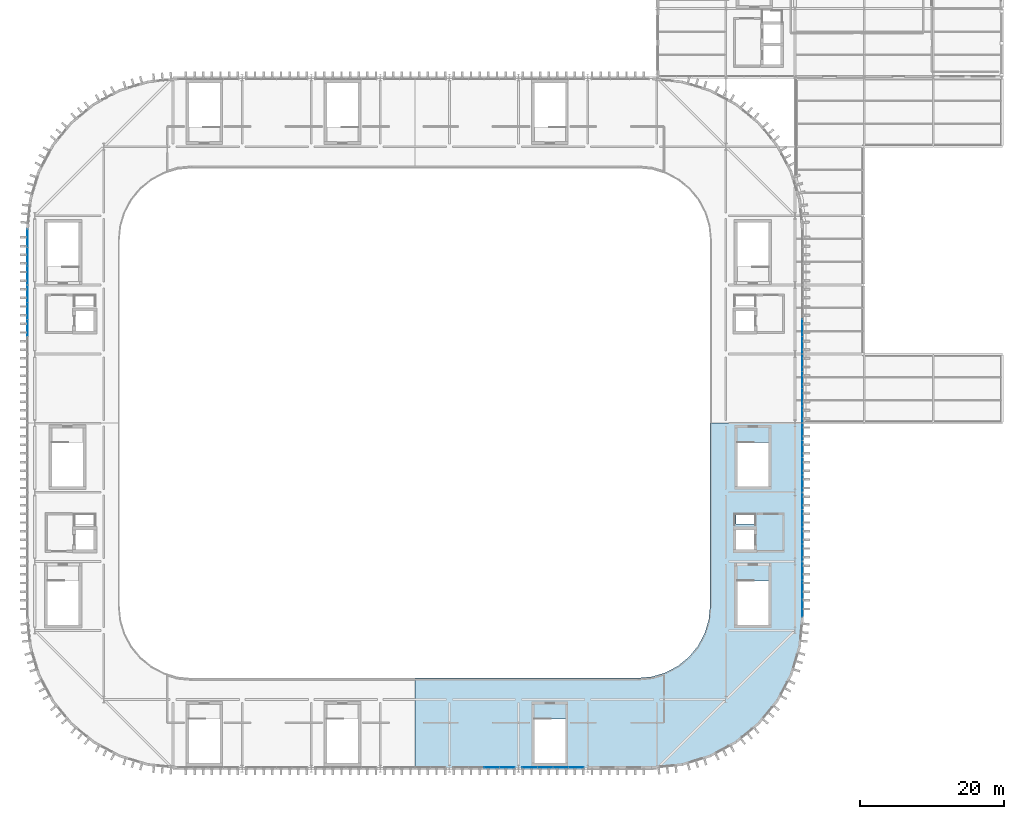
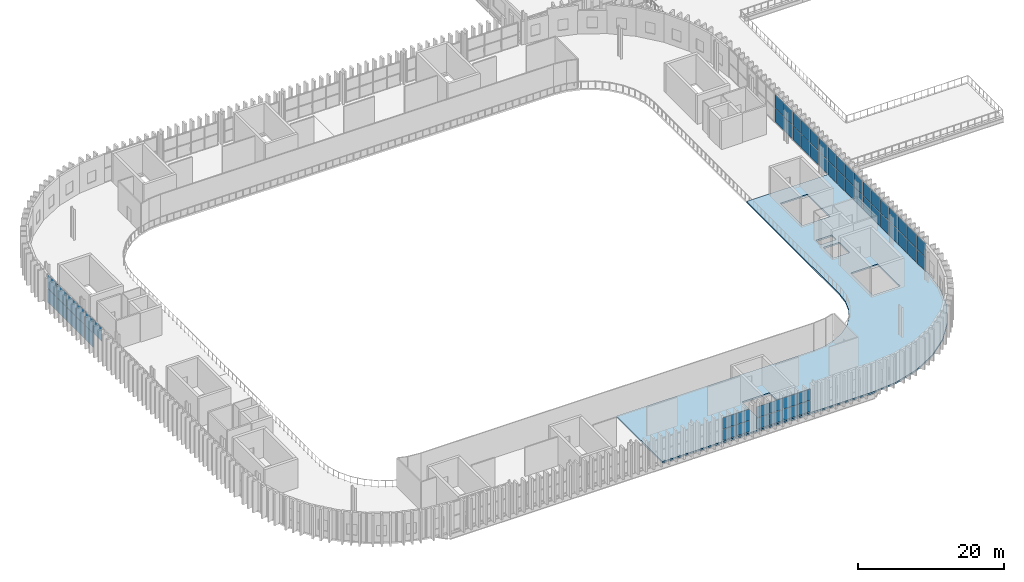
# One storey, part 27 of 45: 57 plates, 1 slab, 9 elements without a shape of their own.
"""IFC4 building model written with IfcOpenShell, lengths in metres."""

from ifc_helpers import new_model, si_unit, direction, frame, origin, origin_2d, place, context, subcontext, project, spatial, polyline, rectangle, outline, extrude, material, layer, layer_set, type_object, element, aggregate, save


model = new_model("IFC4")

# Units and contexts
model_context = context("Model", 3, precision=1e-05, world=origin(), true_north=direction((0.0, 1.0)))
body_context = subcontext(model_context, "Body", "Model", "MODEL_VIEW")
ifc_project = project(units=[si_unit("LENGTHUNIT", "METRE"), si_unit("AREAUNIT", "SQUARE_METRE"), si_unit("VOLUMEUNIT", "CUBIC_METRE"), si_unit("PLANEANGLEUNIT", "RADIAN"), si_unit("MASSUNIT", "GRAM", prefix="KILO")], contexts=[model_context])

# Site, building, storey
site_placement = place(None, origin())
site = spatial("IfcSite", under=ifc_project, at=site_placement, CompositionType="ELEMENT")
building_placement = place(site_placement, origin())
building = spatial("IfcBuilding", under=site, at=building_placement, Name="Caelomonte Colonnade Arena", CompositionType="ELEMENT")
storey_placement = place(building_placement, frame((0.0, 0.0, 23.10009765625)))
storey = spatial("IfcBuildingStorey", under=building, at=storey_placement, Name="L05", CompositionType="ELEMENT", Elevation=23.10009765625)

# Curtain wall, plates
ifc_material_1 = material(Name="Bronze anodised aluminium and low-E glazing", Category="aluminium")
ifc_layer_1 = layer(ifc_material_1, 0.179931640625)
ifc_layer_set_1 = layer_set([ifc_layer_1], Name="Bronze anodised aluminium and low-E glazing")
curtain_wall_type_1 = type_object("IfcCurtainWallType", Name="ENV-CW-CW-L05-96-39", PredefinedType="USERDEFINED", material=ifc_layer_set_1)
curtain_wall_1_placement = place(storey_placement, origin())
curtain_wall_1 = element("IfcCurtainWall", 1, at=curtain_wall_1_placement, inside=storey, type_object=curtain_wall_type_1, Name="L05 unitized curtain wall CW-L05-1200-0194", ObjectType="UNITIZED CURTAIN WALL", PredefinedType="USERDEFINED")
ifc_material_2 = material(Name="Solar-control bronze low-E double glazing", Category="glass")
ifc_layer_2 = layer(ifc_material_2, 0.035888671875)
ifc_layer_set_2 = layer_set([ifc_layer_2], Name="Solar-control bronze low-E double glazing")
plate_type = type_object("IfcPlateType", Name="ENV-CW-PAN36", PredefinedType="CURTAIN_PANEL", material=ifc_layer_set_2)
plate_1_placement = place(storey_placement, frame((121.080810546875, 19.3798828125, 0.06982421875), z_axis=(0.0, 0.0, 1.0), x_axis=(1.0, 0.0, 0.0)))
plate_1 = element("IfcPlate", 2, at=plate_1_placement, type_object=plate_type, Name="CW-L05-96-39 panel 3.1", PredefinedType="CURTAIN_PANEL", context=body_context, shape_type="SweptSolid", body=[
    extrude(rectangle(XDim=2.09130859375, YDim=0.035888671875, at=origin_2d()), origin(), (0.0, 0.0, 1.0), 1.841552734375),
])
plate_2_placement = place(storey_placement, frame((121.080810546875, 19.3798828125, 1.9814453125), z_axis=(0.0, 0.0, 1.0), x_axis=(1.0, 0.0, 0.0)))
plate_2 = element("IfcPlate", 3, at=plate_2_placement, type_object=plate_type, Name="CW-L05-96-39 panel 3.2", PredefinedType="CURTAIN_PANEL", context=body_context, shape_type="SweptSolid", body=[
    extrude(rectangle(XDim=2.09130859375, YDim=0.035888671875, at=origin_2d()), origin(), (0.0, 0.0, 1.0), 1.84130859375),
])
plate_3_placement = place(storey_placement, frame((123.224609375, 19.3798828125, 0.06982421875), z_axis=(0.0, 0.0, 1.0), x_axis=(1.0, 0.0, 0.0)))
plate_3 = element("IfcPlate", 4, at=plate_3_placement, type_object=plate_type, Name="CW-L05-96-39 panel 4.1", PredefinedType="CURTAIN_PANEL", context=body_context, shape_type="SweptSolid", body=[
    extrude(rectangle(XDim=2.056396484375, YDim=0.035888671875, at=origin_2d()), origin(), (0.0, 0.0, 1.0), 1.841552734375),
])
plate_4_placement = place(storey_placement, frame((123.224609375, 19.3798828125, 1.9814453125), z_axis=(0.0, 0.0, 1.0), x_axis=(1.0, 0.0, 0.0)))
plate_4 = element("IfcPlate", 5, at=plate_4_placement, type_object=plate_type, Name="CW-L05-96-39 panel 4.2", PredefinedType="CURTAIN_PANEL", context=body_context, shape_type="SweptSolid", body=[
    extrude(rectangle(XDim=2.056396484375, YDim=0.035888671875, at=origin_2d()), origin(), (0.0, 0.0, 1.0), 1.84130859375),
])
aggregate(curtain_wall_1, [plate_1, plate_2, plate_3, plate_4])

curtain_wall_2_placement = place(storey_placement, origin())
curtain_wall_2 = element("IfcCurtainWall", 6, at=curtain_wall_2_placement, inside=storey, type_object=curtain_wall_type_1, Name="L05 unitized curtain wall CW-L05-1296-0194", ObjectType="UNITIZED CURTAIN WALL", PredefinedType="USERDEFINED")
plate_5_placement = place(storey_placement, frame((126.37548828125, 19.3798828125, 0.06982421875), z_axis=(0.0, 0.0, 1.0), x_axis=(1.0, 0.0, 0.0)))
plate_5 = element("IfcPlate", 7, at=plate_5_placement, type_object=plate_type, Name="CW-L05-96-39 panel 1.1", PredefinedType="CURTAIN_PANEL", context=body_context, shape_type="SweptSolid", body=[
    extrude(rectangle(XDim=2.056396484375, YDim=0.035888671875, at=origin_2d()), origin(), (0.0, 0.0, 1.0), 1.841552734375),
])
plate_6_placement = place(storey_placement, frame((126.37548828125, 19.3798828125, 1.9814453125), z_axis=(0.0, 0.0, 1.0), x_axis=(1.0, 0.0, 0.0)))
plate_6 = element("IfcPlate", 8, at=plate_6_placement, type_object=plate_type, Name="CW-L05-96-39 panel 1.2", PredefinedType="CURTAIN_PANEL", context=body_context, shape_type="SweptSolid", body=[
    extrude(rectangle(XDim=2.056396484375, YDim=0.035888671875, at=origin_2d()), origin(), (0.0, 0.0, 1.0), 1.84130859375),
])
plate_7_placement = place(storey_placement, frame((128.519287109375, 19.3798828125, 0.06982421875), z_axis=(0.0, 0.0, 1.0), x_axis=(1.0, 0.0, 0.0)))
plate_7 = element("IfcPlate", 9, at=plate_7_placement, type_object=plate_type, Name="CW-L05-96-39 panel 2.1", PredefinedType="CURTAIN_PANEL", context=body_context, shape_type="SweptSolid", body=[
    extrude(rectangle(XDim=2.09130859375, YDim=0.035888671875, at=origin_2d()), origin(), (0.0, 0.0, 1.0), 1.841552734375),
])
plate_8_placement = place(storey_placement, frame((128.519287109375, 19.3798828125, 1.9814453125), z_axis=(0.0, 0.0, 1.0), x_axis=(1.0, 0.0, 0.0)))
plate_8 = element("IfcPlate", 10, at=plate_8_placement, type_object=plate_type, Name="CW-L05-96-39 panel 2.2", PredefinedType="CURTAIN_PANEL", context=body_context, shape_type="SweptSolid", body=[
    extrude(rectangle(XDim=2.09130859375, YDim=0.035888671875, at=origin_2d()), origin(), (0.0, 0.0, 1.0), 1.84130859375),
])
plate_9_placement = place(storey_placement, frame((130.6806640625, 19.3798828125, 0.06982421875), z_axis=(0.0, 0.0, 1.0), x_axis=(1.0, 0.0, 0.0)))
plate_9 = element("IfcPlate", 11, at=plate_9_placement, type_object=plate_type, Name="CW-L05-96-39 panel 3.1", PredefinedType="CURTAIN_PANEL", context=body_context, shape_type="SweptSolid", body=[
    extrude(rectangle(XDim=2.09130859375, YDim=0.035888671875, at=origin_2d()), origin(), (0.0, 0.0, 1.0), 1.841552734375),
])
plate_10_placement = place(storey_placement, frame((130.6806640625, 19.3798828125, 1.9814453125), z_axis=(0.0, 0.0, 1.0), x_axis=(1.0, 0.0, 0.0)))
plate_10 = element("IfcPlate", 12, at=plate_10_placement, type_object=plate_type, Name="CW-L05-96-39 panel 3.2", PredefinedType="CURTAIN_PANEL", context=body_context, shape_type="SweptSolid", body=[
    extrude(rectangle(XDim=2.09130859375, YDim=0.035888671875, at=origin_2d()), origin(), (0.0, 0.0, 1.0), 1.84130859375),
])
plate_11_placement = place(storey_placement, frame((132.82470703125, 19.3798828125, 0.06982421875), z_axis=(0.0, 0.0, 1.0), x_axis=(1.0, 0.0, 0.0)))
plate_11 = element("IfcPlate", 13, at=plate_11_placement, type_object=plate_type, Name="CW-L05-96-39 panel 4.1", PredefinedType="CURTAIN_PANEL", context=body_context, shape_type="SweptSolid", body=[
    extrude(rectangle(XDim=2.056396484375, YDim=0.035888671875, at=origin_2d()), origin(), (0.0, 0.0, 1.0), 1.841552734375),
])
plate_12_placement = place(storey_placement, frame((132.82470703125, 19.3798828125, 1.9814453125), z_axis=(0.0, 0.0, 1.0), x_axis=(1.0, 0.0, 0.0)))
plate_12 = element("IfcPlate", 14, at=plate_12_placement, type_object=plate_type, Name="CW-L05-96-39 panel 4.2", PredefinedType="CURTAIN_PANEL", context=body_context, shape_type="SweptSolid", body=[
    extrude(rectangle(XDim=2.056396484375, YDim=0.035888671875, at=origin_2d()), origin(), (0.0, 0.0, 1.0), 1.84130859375),
])
aggregate(curtain_wall_2, [plate_5, plate_6, plate_7, plate_8, plate_9, plate_10, plate_11, plate_12])

ifc_layer_3 = layer(ifc_material_1, 0.179931640625)
ifc_layer_set_3 = layer_set([ifc_layer_3], Name="Bronze anodised aluminium and low-E glazing")
curtain_wall_type_2 = type_object("IfcCurtainWallType", Name="ENV-CW-CW-L05-79-48", PredefinedType="USERDEFINED", material=ifc_layer_set_3)
curtain_wall_3_placement = place(storey_placement, origin())
curtain_wall_3 = element("IfcCurtainWall", 15, at=curtain_wall_3_placement, inside=storey, type_object=curtain_wall_type_2, Name="L05 unitized curtain wall CW-L05-1642-0440", ObjectType="UNITIZED CURTAIN WALL", PredefinedType="USERDEFINED")
plate_13_placement = place(storey_placement, frame((164.219970703125, 41.544189453125, 0.06982421875), z_axis=(0.0, 0.0, 1.0), x_axis=(0.0, 1.0, 0.0)))
plate_13 = element("IfcPlate", 16, at=plate_13_placement, type_object=plate_type, Name="CW-L05-79-48 panel 1.1", PredefinedType="CURTAIN_PANEL", context=body_context, shape_type="SweptSolid", body=[
    extrude(rectangle(XDim=2.46826171875, YDim=0.035888671875, at=origin_2d()), origin(), (0.0, 0.0, 1.0), 2.304931640625),
])
plate_14_placement = place(storey_placement, frame((164.219970703125, 41.544189453125, 2.44482421875), z_axis=(0.0, 0.0, 1.0), x_axis=(0.0, 1.0, 0.0)))
plate_14 = element("IfcPlate", 17, at=plate_14_placement, type_object=plate_type, Name="CW-L05-79-48 panel 1.2", PredefinedType="CURTAIN_PANEL", context=body_context, shape_type="SweptSolid", body=[
    extrude(rectangle(XDim=2.46826171875, YDim=0.035888671875, at=origin_2d()), origin(), (0.0, 0.0, 1.0), 2.304931640625),
])
plate_15_placement = place(storey_placement, frame((164.219970703125, 44.10009765625, 0.06982421875), z_axis=(0.0, 0.0, 1.0), x_axis=(0.0, 1.0, 0.0)))
plate_15 = element("IfcPlate", 18, at=plate_15_placement, type_object=plate_type, Name="CW-L05-79-48 panel 2.1", PredefinedType="CURTAIN_PANEL", context=body_context, shape_type="SweptSolid", body=[
    extrude(rectangle(XDim=2.50341796875, YDim=0.035888671875, at=origin_2d()), origin(), (0.0, 0.0, 1.0), 2.304931640625),
])
plate_16_placement = place(storey_placement, frame((164.219970703125, 44.10009765625, 2.44482421875), z_axis=(0.0, 0.0, 1.0), x_axis=(0.0, 1.0, 0.0)))
plate_16 = element("IfcPlate", 19, at=plate_16_placement, type_object=plate_type, Name="CW-L05-79-48 panel 2.2", PredefinedType="CURTAIN_PANEL", context=body_context, shape_type="SweptSolid", body=[
    extrude(rectangle(XDim=2.50341796875, YDim=0.035888671875, at=origin_2d()), origin(), (0.0, 0.0, 1.0), 2.304931640625),
])
plate_17_placement = place(storey_placement, frame((164.219970703125, 46.65576171875, 0.06982421875), z_axis=(0.0, 0.0, 1.0), x_axis=(0.0, 1.0, 0.0)))
plate_17 = element("IfcPlate", 20, at=plate_17_placement, type_object=plate_type, Name="CW-L05-79-48 panel 3.1", PredefinedType="CURTAIN_PANEL", context=body_context, shape_type="SweptSolid", body=[
    extrude(rectangle(XDim=2.46826171875, YDim=0.035888671875, at=origin_2d()), origin(), (0.0, 0.0, 1.0), 2.304931640625),
])
plate_18_placement = place(storey_placement, frame((164.219970703125, 46.65576171875, 2.44482421875), z_axis=(0.0, 0.0, 1.0), x_axis=(0.0, 1.0, 0.0)))
plate_18 = element("IfcPlate", 21, at=plate_18_placement, type_object=plate_type, Name="CW-L05-79-48 panel 3.2", PredefinedType="CURTAIN_PANEL", context=body_context, shape_type="SweptSolid", body=[
    extrude(rectangle(XDim=2.46826171875, YDim=0.035888671875, at=origin_2d()), origin(), (0.0, 0.0, 1.0), 2.304931640625),
])
aggregate(curtain_wall_3, [plate_13, plate_14, plate_15, plate_16, plate_17, plate_18])

ifc_layer_4 = layer(ifc_material_1, 0.179931640625)
ifc_layer_set_4 = layer_set([ifc_layer_4], Name="Bronze anodised aluminium and low-E glazing")
curtain_wall_type_3 = type_object("IfcCurtainWallType", Name="ENV-CW-CW-L05-96-48", PredefinedType="USERDEFINED", material=ifc_layer_set_4)
curtain_wall_4_placement = place(storey_placement, origin())
curtain_wall_4 = element("IfcCurtainWall", 22, at=curtain_wall_4_placement, inside=storey, type_object=curtain_wall_type_3, Name="L05 unitized curtain wall CW-L05-1642-0528", ObjectType="UNITIZED CURTAIN WALL", PredefinedType="USERDEFINED")
plate_19_placement = place(storey_placement, frame((164.219970703125, 49.24755859375, 0.06982421875), z_axis=(0.0, 0.0, 1.0), x_axis=(0.0, 1.0, 0.0)))
plate_19 = element("IfcPlate", 23, at=plate_19_placement, type_object=plate_type, Name="CW-L05-96-48 panel 1.1", PredefinedType="CURTAIN_PANEL", context=body_context, shape_type="SweptSolid", body=[
    extrude(rectangle(XDim=2.27490234375, YDim=0.035888671875, at=origin_2d()), origin(), (0.0, 0.0, 1.0), 2.304931640625),
])
plate_20_placement = place(storey_placement, frame((164.219970703125, 49.24755859375, 2.44482421875), z_axis=(0.0, 0.0, 1.0), x_axis=(0.0, 1.0, 0.0)))
plate_20 = element("IfcPlate", 24, at=plate_20_placement, type_object=plate_type, Name="CW-L05-96-48 panel 1.2", PredefinedType="CURTAIN_PANEL", context=body_context, shape_type="SweptSolid", body=[
    extrude(rectangle(XDim=2.27490234375, YDim=0.035888671875, at=origin_2d()), origin(), (0.0, 0.0, 1.0), 2.304931640625),
])
plate_21_placement = place(storey_placement, frame((164.219970703125, 51.610107421875, 0.06982421875), z_axis=(0.0, 0.0, 1.0), x_axis=(0.0, 1.0, 0.0)))
plate_21 = element("IfcPlate", 25, at=plate_21_placement, type_object=plate_type, Name="CW-L05-96-48 panel 2.1", PredefinedType="CURTAIN_PANEL", context=body_context, shape_type="SweptSolid", body=[
    extrude(rectangle(XDim=2.31005859375, YDim=0.035888671875, at=origin_2d()), origin(), (0.0, 0.0, 1.0), 2.304931640625),
])
plate_22_placement = place(storey_placement, frame((164.219970703125, 51.610107421875, 2.44482421875), z_axis=(0.0, 0.0, 1.0), x_axis=(0.0, 1.0, 0.0)))
plate_22 = element("IfcPlate", 26, at=plate_22_placement, type_object=plate_type, Name="CW-L05-96-48 panel 2.2", PredefinedType="CURTAIN_PANEL", context=body_context, shape_type="SweptSolid", body=[
    extrude(rectangle(XDim=2.31005859375, YDim=0.035888671875, at=origin_2d()), origin(), (0.0, 0.0, 1.0), 2.304931640625),
])
plate_23_placement = place(storey_placement, frame((164.219970703125, 53.989990234375, 0.06982421875), z_axis=(0.0, 0.0, 1.0), x_axis=(0.0, 1.0, 0.0)))
plate_23 = element("IfcPlate", 27, at=plate_23_placement, type_object=plate_type, Name="CW-L05-96-48 panel 3.1", PredefinedType="CURTAIN_PANEL", context=body_context, shape_type="SweptSolid", body=[
    extrude(rectangle(XDim=2.31005859375, YDim=0.035888671875, at=origin_2d()), origin(), (0.0, 0.0, 1.0), 2.304931640625),
])
plate_24_placement = place(storey_placement, frame((164.219970703125, 53.989990234375, 2.44482421875), z_axis=(0.0, 0.0, 1.0), x_axis=(0.0, 1.0, 0.0)))
plate_24 = element("IfcPlate", 28, at=plate_24_placement, type_object=plate_type, Name="CW-L05-96-48 panel 3.2", PredefinedType="CURTAIN_PANEL", context=body_context, shape_type="SweptSolid", body=[
    extrude(rectangle(XDim=2.31005859375, YDim=0.035888671875, at=origin_2d()), origin(), (0.0, 0.0, 1.0), 2.304931640625),
])
plate_25_placement = place(storey_placement, frame((164.219970703125, 56.3525390625, 0.06982421875), z_axis=(0.0, 0.0, 1.0), x_axis=(0.0, 1.0, 0.0)))
plate_25 = element("IfcPlate", 29, at=plate_25_placement, type_object=plate_type, Name="CW-L05-96-48 panel 4.1", PredefinedType="CURTAIN_PANEL", context=body_context, shape_type="SweptSolid", body=[
    extrude(rectangle(XDim=2.27490234375, YDim=0.035888671875, at=origin_2d()), origin(), (0.0, 0.0, 1.0), 2.304931640625),
])
plate_26_placement = place(storey_placement, frame((164.219970703125, 56.3525390625, 2.44482421875), z_axis=(0.0, 0.0, 1.0), x_axis=(0.0, 1.0, 0.0)))
plate_26 = element("IfcPlate", 30, at=plate_26_placement, type_object=plate_type, Name="CW-L05-96-48 panel 4.2", PredefinedType="CURTAIN_PANEL", context=body_context, shape_type="SweptSolid", body=[
    extrude(rectangle(XDim=2.27490234375, YDim=0.035888671875, at=origin_2d()), origin(), (0.0, 0.0, 1.0), 2.304931640625),
])
aggregate(curtain_wall_4, [plate_19, plate_20, plate_21, plate_22, plate_23, plate_24, plate_25, plate_26])

curtain_wall_5_placement = place(storey_placement, origin())
curtain_wall_5 = element("IfcCurtainWall", 31, at=curtain_wall_5_placement, inside=storey, type_object=curtain_wall_type_3, Name="L05 unitized curtain wall CW-L05-1642-0624", ObjectType="UNITIZED CURTAIN WALL", PredefinedType="USERDEFINED")
plate_27_placement = place(storey_placement, frame((164.219970703125, 58.847412109375, 0.06982421875), z_axis=(0.0, 0.0, 1.0), x_axis=(0.0, 1.0, 0.0)))
plate_27 = element("IfcPlate", 32, at=plate_27_placement, type_object=plate_type, Name="CW-L05-96-48 panel 1.1", PredefinedType="CURTAIN_PANEL", context=body_context, shape_type="SweptSolid", body=[
    extrude(rectangle(XDim=2.27490234375, YDim=0.035888671875, at=origin_2d()), origin(), (0.0, 0.0, 1.0), 2.304931640625),
])
plate_28_placement = place(storey_placement, frame((164.219970703125, 58.847412109375, 2.44482421875), z_axis=(0.0, 0.0, 1.0), x_axis=(0.0, 1.0, 0.0)))
plate_28 = element("IfcPlate", 33, at=plate_28_placement, type_object=plate_type, Name="CW-L05-96-48 panel 1.2", PredefinedType="CURTAIN_PANEL", context=body_context, shape_type="SweptSolid", body=[
    extrude(rectangle(XDim=2.27490234375, YDim=0.035888671875, at=origin_2d()), origin(), (0.0, 0.0, 1.0), 2.304931640625),
])
plate_29_placement = place(storey_placement, frame((164.219970703125, 61.2099609375, 0.06982421875), z_axis=(0.0, 0.0, 1.0), x_axis=(0.0, 1.0, 0.0)))
plate_29 = element("IfcPlate", 34, at=plate_29_placement, type_object=plate_type, Name="CW-L05-96-48 panel 2.1", PredefinedType="CURTAIN_PANEL", context=body_context, shape_type="SweptSolid", body=[
    extrude(rectangle(XDim=2.31005859375, YDim=0.035888671875, at=origin_2d()), origin(), (0.0, 0.0, 1.0), 2.304931640625),
])
plate_30_placement = place(storey_placement, frame((164.219970703125, 61.2099609375, 2.44482421875), z_axis=(0.0, 0.0, 1.0), x_axis=(0.0, 1.0, 0.0)))
plate_30 = element("IfcPlate", 35, at=plate_30_placement, type_object=plate_type, Name="CW-L05-96-48 panel 2.2", PredefinedType="CURTAIN_PANEL", context=body_context, shape_type="SweptSolid", body=[
    extrude(rectangle(XDim=2.31005859375, YDim=0.035888671875, at=origin_2d()), origin(), (0.0, 0.0, 1.0), 2.304931640625),
])
plate_31_placement = place(storey_placement, frame((164.219970703125, 63.590087890625, 0.06982421875), z_axis=(0.0, 0.0, 1.0), x_axis=(0.0, 1.0, 0.0)))
plate_31 = element("IfcPlate", 36, at=plate_31_placement, type_object=plate_type, Name="CW-L05-96-48 panel 3.1", PredefinedType="CURTAIN_PANEL", context=body_context, shape_type="SweptSolid", body=[
    extrude(rectangle(XDim=2.31005859375, YDim=0.035888671875, at=origin_2d()), origin(), (0.0, 0.0, 1.0), 2.304931640625),
])
plate_32_placement = place(storey_placement, frame((164.219970703125, 63.590087890625, 2.44482421875), z_axis=(0.0, 0.0, 1.0), x_axis=(0.0, 1.0, 0.0)))
plate_32 = element("IfcPlate", 37, at=plate_32_placement, type_object=plate_type, Name="CW-L05-96-48 panel 3.2", PredefinedType="CURTAIN_PANEL", context=body_context, shape_type="SweptSolid", body=[
    extrude(rectangle(XDim=2.31005859375, YDim=0.035888671875, at=origin_2d()), origin(), (0.0, 0.0, 1.0), 2.304931640625),
])
plate_33_placement = place(storey_placement, frame((164.219970703125, 65.952392578125, 0.06982421875), z_axis=(0.0, 0.0, 1.0), x_axis=(0.0, 1.0, 0.0)))
plate_33 = element("IfcPlate", 38, at=plate_33_placement, type_object=plate_type, Name="CW-L05-96-48 panel 4.1", PredefinedType="CURTAIN_PANEL", context=body_context, shape_type="SweptSolid", body=[
    extrude(rectangle(XDim=2.27490234375, YDim=0.035888671875, at=origin_2d()), origin(), (0.0, 0.0, 1.0), 2.304931640625),
])
plate_34_placement = place(storey_placement, frame((164.219970703125, 65.952392578125, 2.44482421875), z_axis=(0.0, 0.0, 1.0), x_axis=(0.0, 1.0, 0.0)))
plate_34 = element("IfcPlate", 39, at=plate_34_placement, type_object=plate_type, Name="CW-L05-96-48 panel 4.2", PredefinedType="CURTAIN_PANEL", context=body_context, shape_type="SweptSolid", body=[
    extrude(rectangle(XDim=2.27490234375, YDim=0.035888671875, at=origin_2d()), origin(), (0.0, 0.0, 1.0), 2.304931640625),
])
aggregate(curtain_wall_5, [plate_27, plate_28, plate_29, plate_30, plate_31, plate_32, plate_33, plate_34])

curtain_wall_6_placement = place(storey_placement, origin())
curtain_wall_6 = element("IfcCurtainWall", 40, at=curtain_wall_6_placement, inside=storey, type_object=curtain_wall_type_3, Name="L05 unitized curtain wall CW-L05-1642-0720", ObjectType="UNITIZED CURTAIN WALL", PredefinedType="USERDEFINED")
plate_35_placement = place(storey_placement, frame((164.219970703125, 68.447509765625, 0.06982421875), z_axis=(0.0, 0.0, 1.0), x_axis=(0.0, 1.0, 0.0)))
plate_35 = element("IfcPlate", 41, at=plate_35_placement, type_object=plate_type, Name="CW-L05-96-48 panel 1.1", PredefinedType="CURTAIN_PANEL", context=body_context, shape_type="SweptSolid", body=[
    extrude(rectangle(XDim=2.27490234375, YDim=0.035888671875, at=origin_2d()), origin(), (0.0, 0.0, 1.0), 2.304931640625),
])
plate_36_placement = place(storey_placement, frame((164.219970703125, 68.447509765625, 2.44482421875), z_axis=(0.0, 0.0, 1.0), x_axis=(0.0, 1.0, 0.0)))
plate_36 = element("IfcPlate", 42, at=plate_36_placement, type_object=plate_type, Name="CW-L05-96-48 panel 1.2", PredefinedType="CURTAIN_PANEL", context=body_context, shape_type="SweptSolid", body=[
    extrude(rectangle(XDim=2.27490234375, YDim=0.035888671875, at=origin_2d()), origin(), (0.0, 0.0, 1.0), 2.304931640625),
])
plate_37_placement = place(storey_placement, frame((164.219970703125, 70.81005859375, 0.06982421875), z_axis=(0.0, 0.0, 1.0), x_axis=(0.0, 1.0, 0.0)))
plate_37 = element("IfcPlate", 43, at=plate_37_placement, type_object=plate_type, Name="CW-L05-96-48 panel 2.1", PredefinedType="CURTAIN_PANEL", context=body_context, shape_type="SweptSolid", body=[
    extrude(rectangle(XDim=2.31005859375, YDim=0.035888671875, at=origin_2d()), origin(), (0.0, 0.0, 1.0), 2.304931640625),
])
plate_38_placement = place(storey_placement, frame((164.219970703125, 70.81005859375, 2.44482421875), z_axis=(0.0, 0.0, 1.0), x_axis=(0.0, 1.0, 0.0)))
plate_38 = element("IfcPlate", 44, at=plate_38_placement, type_object=plate_type, Name="CW-L05-96-48 panel 2.2", PredefinedType="CURTAIN_PANEL", context=body_context, shape_type="SweptSolid", body=[
    extrude(rectangle(XDim=2.31005859375, YDim=0.035888671875, at=origin_2d()), origin(), (0.0, 0.0, 1.0), 2.304931640625),
])
plate_39_placement = place(storey_placement, frame((164.219970703125, 73.18994140625, 0.06982421875), z_axis=(0.0, 0.0, 1.0), x_axis=(0.0, 1.0, 0.0)))
plate_39 = element("IfcPlate", 45, at=plate_39_placement, type_object=plate_type, Name="CW-L05-96-48 panel 3.1", PredefinedType="CURTAIN_PANEL", context=body_context, shape_type="SweptSolid", body=[
    extrude(rectangle(XDim=2.31005859375, YDim=0.035888671875, at=origin_2d()), origin(), (0.0, 0.0, 1.0), 2.304931640625),
])
plate_40_placement = place(storey_placement, frame((164.219970703125, 73.18994140625, 2.44482421875), z_axis=(0.0, 0.0, 1.0), x_axis=(0.0, 1.0, 0.0)))
plate_40 = element("IfcPlate", 46, at=plate_40_placement, type_object=plate_type, Name="CW-L05-96-48 panel 3.2", PredefinedType="CURTAIN_PANEL", context=body_context, shape_type="SweptSolid", body=[
    extrude(rectangle(XDim=2.31005859375, YDim=0.035888671875, at=origin_2d()), origin(), (0.0, 0.0, 1.0), 2.304931640625),
])
plate_41_placement = place(storey_placement, frame((164.219970703125, 75.552490234375, 0.06982421875), z_axis=(0.0, 0.0, 1.0), x_axis=(0.0, 1.0, 0.0)))
plate_41 = element("IfcPlate", 47, at=plate_41_placement, type_object=plate_type, Name="CW-L05-96-48 panel 4.1", PredefinedType="CURTAIN_PANEL", context=body_context, shape_type="SweptSolid", body=[
    extrude(rectangle(XDim=2.27490234375, YDim=0.035888671875, at=origin_2d()), origin(), (0.0, 0.0, 1.0), 2.304931640625),
])
plate_42_placement = place(storey_placement, frame((164.219970703125, 75.552490234375, 2.44482421875), z_axis=(0.0, 0.0, 1.0), x_axis=(0.0, 1.0, 0.0)))
plate_42 = element("IfcPlate", 48, at=plate_42_placement, type_object=plate_type, Name="CW-L05-96-48 panel 4.2", PredefinedType="CURTAIN_PANEL", context=body_context, shape_type="SweptSolid", body=[
    extrude(rectangle(XDim=2.27490234375, YDim=0.035888671875, at=origin_2d()), origin(), (0.0, 0.0, 1.0), 2.304931640625),
])
aggregate(curtain_wall_6, [plate_35, plate_36, plate_37, plate_38, plate_39, plate_40, plate_41, plate_42])

curtain_wall_7_placement = place(storey_placement, origin())
curtain_wall_7 = element("IfcCurtainWall", 49, at=curtain_wall_7_placement, inside=storey, type_object=curtain_wall_type_3, Name="L05 unitized curtain wall CW-L05-1642-0816", ObjectType="UNITIZED CURTAIN WALL", PredefinedType="USERDEFINED")
plate_43_placement = place(storey_placement, frame((164.219970703125, 78.047607421875, 0.06982421875), z_axis=(0.0, 0.0, 1.0), x_axis=(0.0, 1.0, 0.0)))
plate_43 = element("IfcPlate", 50, at=plate_43_placement, type_object=plate_type, Name="CW-L05-96-48 panel 1.1", PredefinedType="CURTAIN_PANEL", context=body_context, shape_type="SweptSolid", body=[
    extrude(rectangle(XDim=2.27490234375, YDim=0.035888671875, at=origin_2d()), origin(), (0.0, 0.0, 1.0), 2.304931640625),
])
plate_44_placement = place(storey_placement, frame((164.219970703125, 78.047607421875, 2.44482421875), z_axis=(0.0, 0.0, 1.0), x_axis=(0.0, 1.0, 0.0)))
plate_44 = element("IfcPlate", 51, at=plate_44_placement, type_object=plate_type, Name="CW-L05-96-48 panel 1.2", PredefinedType="CURTAIN_PANEL", context=body_context, shape_type="SweptSolid", body=[
    extrude(rectangle(XDim=2.27490234375, YDim=0.035888671875, at=origin_2d()), origin(), (0.0, 0.0, 1.0), 2.304931640625),
])
plate_45_placement = place(storey_placement, frame((164.219970703125, 80.409912109375, 0.06982421875), z_axis=(0.0, 0.0, 1.0), x_axis=(0.0, 1.0, 0.0)))
plate_45 = element("IfcPlate", 52, at=plate_45_placement, type_object=plate_type, Name="CW-L05-96-48 panel 2.1", PredefinedType="CURTAIN_PANEL", context=body_context, shape_type="SweptSolid", body=[
    extrude(rectangle(XDim=2.31005859375, YDim=0.035888671875, at=origin_2d()), origin(), (0.0, 0.0, 1.0), 2.304931640625),
])
plate_46_placement = place(storey_placement, frame((164.219970703125, 80.409912109375, 2.44482421875), z_axis=(0.0, 0.0, 1.0), x_axis=(0.0, 1.0, 0.0)))
plate_46 = element("IfcPlate", 53, at=plate_46_placement, type_object=plate_type, Name="CW-L05-96-48 panel 2.2", PredefinedType="CURTAIN_PANEL", context=body_context, shape_type="SweptSolid", body=[
    extrude(rectangle(XDim=2.31005859375, YDim=0.035888671875, at=origin_2d()), origin(), (0.0, 0.0, 1.0), 2.304931640625),
])
aggregate(curtain_wall_7, [plate_43, plate_44, plate_45, plate_46])

curtain_wall_8_placement = place(storey_placement, origin())
curtain_wall_8 = element("IfcCurtainWall", 54, at=curtain_wall_8_placement, inside=storey, type_object=curtain_wall_type_2, Name="L05 unitized curtain wall CW-L05-0566-0904", ObjectType="UNITIZED CURTAIN WALL", PredefinedType="USERDEFINED")
plate_47_placement = place(storey_placement, frame((56.580078125, 92.855712890625, 0.06982421875), z_axis=(0.0, 0.0, 1.0), x_axis=(0.0, -1.0, 0.0)))
plate_47 = element("IfcPlate", 55, at=plate_47_placement, type_object=plate_type, Name="CW-L05-79-48 panel 1.1", PredefinedType="CURTAIN_PANEL", context=body_context, shape_type="SweptSolid", body=[
    extrude(rectangle(XDim=2.46826171875, YDim=0.035888671875, at=origin_2d()), origin(), (0.0, 0.0, 1.0), 2.304931640625),
])
plate_48_placement = place(storey_placement, frame((56.580078125, 92.855712890625, 2.44482421875), z_axis=(0.0, 0.0, 1.0), x_axis=(0.0, -1.0, 0.0)))
plate_48 = element("IfcPlate", 56, at=plate_48_placement, type_object=plate_type, Name="CW-L05-79-48 panel 1.2", PredefinedType="CURTAIN_PANEL", context=body_context, shape_type="SweptSolid", body=[
    extrude(rectangle(XDim=2.46826171875, YDim=0.035888671875, at=origin_2d()), origin(), (0.0, 0.0, 1.0), 2.304931640625),
])
plate_49_placement = place(storey_placement, frame((56.580078125, 90.300048828125, 0.06982421875), z_axis=(0.0, 0.0, 1.0), x_axis=(0.0, -1.0, 0.0)))
plate_49 = element("IfcPlate", 57, at=plate_49_placement, type_object=plate_type, Name="CW-L05-79-48 panel 2.1", PredefinedType="CURTAIN_PANEL", context=body_context, shape_type="SweptSolid", body=[
    extrude(rectangle(XDim=2.50341796875, YDim=0.035888671875, at=origin_2d()), origin(), (0.0, 0.0, 1.0), 2.304931640625),
])
plate_50_placement = place(storey_placement, frame((56.580078125, 90.300048828125, 2.44482421875), z_axis=(0.0, 0.0, 1.0), x_axis=(0.0, -1.0, 0.0)))
plate_50 = element("IfcPlate", 58, at=plate_50_placement, type_object=plate_type, Name="CW-L05-79-48 panel 2.2", PredefinedType="CURTAIN_PANEL", context=body_context, shape_type="SweptSolid", body=[
    extrude(rectangle(XDim=2.50341796875, YDim=0.035888671875, at=origin_2d()), origin(), (0.0, 0.0, 1.0), 2.304931640625),
])
plate_51_placement = place(storey_placement, frame((56.580078125, 87.744140625, 0.06982421875), z_axis=(0.0, 0.0, 1.0), x_axis=(0.0, -1.0, 0.0)))
plate_51 = element("IfcPlate", 59, at=plate_51_placement, type_object=plate_type, Name="CW-L05-79-48 panel 3.1", PredefinedType="CURTAIN_PANEL", context=body_context, shape_type="SweptSolid", body=[
    extrude(rectangle(XDim=2.46826171875, YDim=0.035888671875, at=origin_2d()), origin(), (0.0, 0.0, 1.0), 2.304931640625),
])
plate_52_placement = place(storey_placement, frame((56.580078125, 87.744140625, 2.44482421875), z_axis=(0.0, 0.0, 1.0), x_axis=(0.0, -1.0, 0.0)))
plate_52 = element("IfcPlate", 60, at=plate_52_placement, type_object=plate_type, Name="CW-L05-79-48 panel 3.2", PredefinedType="CURTAIN_PANEL", context=body_context, shape_type="SweptSolid", body=[
    extrude(rectangle(XDim=2.46826171875, YDim=0.035888671875, at=origin_2d()), origin(), (0.0, 0.0, 1.0), 2.304931640625),
])
aggregate(curtain_wall_8, [plate_47, plate_48, plate_49, plate_50, plate_51, plate_52])

curtain_wall_9_placement = place(storey_placement, origin())
curtain_wall_9 = element("IfcCurtainWall", 61, at=curtain_wall_9_placement, inside=storey, type_object=curtain_wall_type_3, Name="L05 unitized curtain wall CW-L05-0566-0816", ObjectType="UNITIZED CURTAIN WALL", PredefinedType="USERDEFINED")
plate_53_placement = place(storey_placement, frame((56.580078125, 85.152587890625, 0.06982421875), z_axis=(0.0, 0.0, 1.0), x_axis=(0.0, -1.0, 0.0)))
plate_53 = element("IfcPlate", 62, at=plate_53_placement, type_object=plate_type, Name="CW-L05-96-48 panel 1.1", PredefinedType="CURTAIN_PANEL", context=body_context, shape_type="SweptSolid", body=[
    extrude(rectangle(XDim=2.27490234375, YDim=0.035888671875, at=origin_2d()), origin(), (0.0, 0.0, 1.0), 2.304931640625),
])
plate_54_placement = place(storey_placement, frame((56.580078125, 85.152587890625, 2.44482421875), z_axis=(0.0, 0.0, 1.0), x_axis=(0.0, -1.0, 0.0)))
plate_54 = element("IfcPlate", 63, at=plate_54_placement, type_object=plate_type, Name="CW-L05-96-48 panel 1.2", PredefinedType="CURTAIN_PANEL", context=body_context, shape_type="SweptSolid", body=[
    extrude(rectangle(XDim=2.27490234375, YDim=0.035888671875, at=origin_2d()), origin(), (0.0, 0.0, 1.0), 2.304931640625),
])
plate_55_placement = place(storey_placement, frame((56.580078125, 82.7900390625, 0.06982421875), z_axis=(0.0, 0.0, 1.0), x_axis=(0.0, -1.0, 0.0)))
plate_55 = element("IfcPlate", 64, at=plate_55_placement, type_object=plate_type, Name="CW-L05-96-48 panel 2.1", PredefinedType="CURTAIN_PANEL", context=body_context, shape_type="SweptSolid", body=[
    extrude(rectangle(XDim=2.31005859375, YDim=0.035888671875, at=origin_2d()), origin(), (0.0, 0.0, 1.0), 2.304931640625),
])
plate_56_placement = place(storey_placement, frame((56.580078125, 82.7900390625, 2.44482421875), z_axis=(0.0, 0.0, 1.0), x_axis=(0.0, -1.0, 0.0)))
plate_56 = element("IfcPlate", 65, at=plate_56_placement, type_object=plate_type, Name="CW-L05-96-48 panel 2.2", PredefinedType="CURTAIN_PANEL", context=body_context, shape_type="SweptSolid", body=[
    extrude(rectangle(XDim=2.31005859375, YDim=0.035888671875, at=origin_2d()), origin(), (0.0, 0.0, 1.0), 2.304931640625),
])
plate_57_placement = place(storey_placement, frame((56.580078125, 80.409912109375, 2.44482421875), z_axis=(0.0, 0.0, 1.0), x_axis=(0.0, -1.0, 0.0)))
plate_57 = element("IfcPlate", 66, at=plate_57_placement, type_object=plate_type, Name="CW-L05-96-48 panel 3.2", PredefinedType="CURTAIN_PANEL", context=body_context, shape_type="SweptSolid", body=[
    extrude(rectangle(XDim=2.31005859375, YDim=0.035888671875, at=origin_2d()), origin(), (0.0, 0.0, 1.0), 2.304931640625),
])
aggregate(curtain_wall_9, [plate_53, plate_54, plate_55, plate_56, plate_57])

# Slab
ifc_material_3 = material(Name="Concrete C40/50", Category="concrete")
ifc_layer_5 = layer(ifc_material_3, 0.260009765625)
ifc_layer_set_5 = layer_set([ifc_layer_5], Name="Concrete C40/50")
slab_type = type_object("IfcSlabType", Name="STR-SL-FLR26", PredefinedType="FLOOR", material=ifc_layer_set_5)
slab_placement = place(storey_placement, frame((0.0, 0.0, -0.260009765625)))
element("IfcSlab", 67, at=slab_placement, inside=storey, type_object=slab_type, Name="L05 structural floor slab SL-L05-V1-SE", PredefinedType="FLOOR", context=body_context, shape_type="SweptSolid", body=[
    extrude(outline(polyline([(164.39990234375, 40.199951171875), (164.39990234375, 67.199951171875), (151.39990234375, 67.199951171875), (151.39990234375, 41.800048828125), (151.2080078125, 39.84912109375), (150.638916015625, 37.97314453125), (149.714599609375, 36.244384765625), (148.47119140625, 34.72900390625), (146.955810546875, 33.4853515625), (145.226806640625, 32.561279296875), (143.350830078125, 31.9921875), (141.39990234375, 31.800048828125), (110.39990234375, 31.800048828125), (110.39990234375, 19.199951171875), (143.39990234375, 19.199951171875), (147.496826171875, 19.603515625), (151.436279296875, 20.798583984375), (155.06689453125, 22.739013671875), (158.249267578125, 25.350830078125), (160.86083984375, 28.532958984375), (162.801513671875, 32.16357421875), (163.99658203125, 36.10302734375), (164.39990234375, 40.199951171875)]), holes=[polyline([(127.0, 26.10009765625), (131.300048828125, 26.10009765625), (131.300048828125, 20.0), (127.0, 20.0), (127.0, 26.10009765625)]), polyline([(159.5, 45.300048828125), (159.5, 39.199951171875), (155.199951171875, 39.199951171875), (155.199951171875, 45.300048828125), (159.5, 45.300048828125)]), polyline([(154.97998046875, 49.580078125), (154.97998046875, 52.419921875), (157.52001953125, 52.419921875), (157.52001953125, 49.580078125), (154.97998046875, 49.580078125)]), polyline([(157.52001953125, 53.179931640625), (154.97998046875, 53.179931640625), (154.97998046875, 54.419921875), (157.52001953125, 54.419921875), (157.52001953125, 53.179931640625)]), polyline([(159.5, 64.5), (159.5, 58.39990234375), (155.199951171875, 58.39990234375), (155.199951171875, 64.5), (159.5, 64.5)])]), origin(), (0.0, 0.0, 1.0), 0.260009765625),
])

save(model, "model.ifc")
